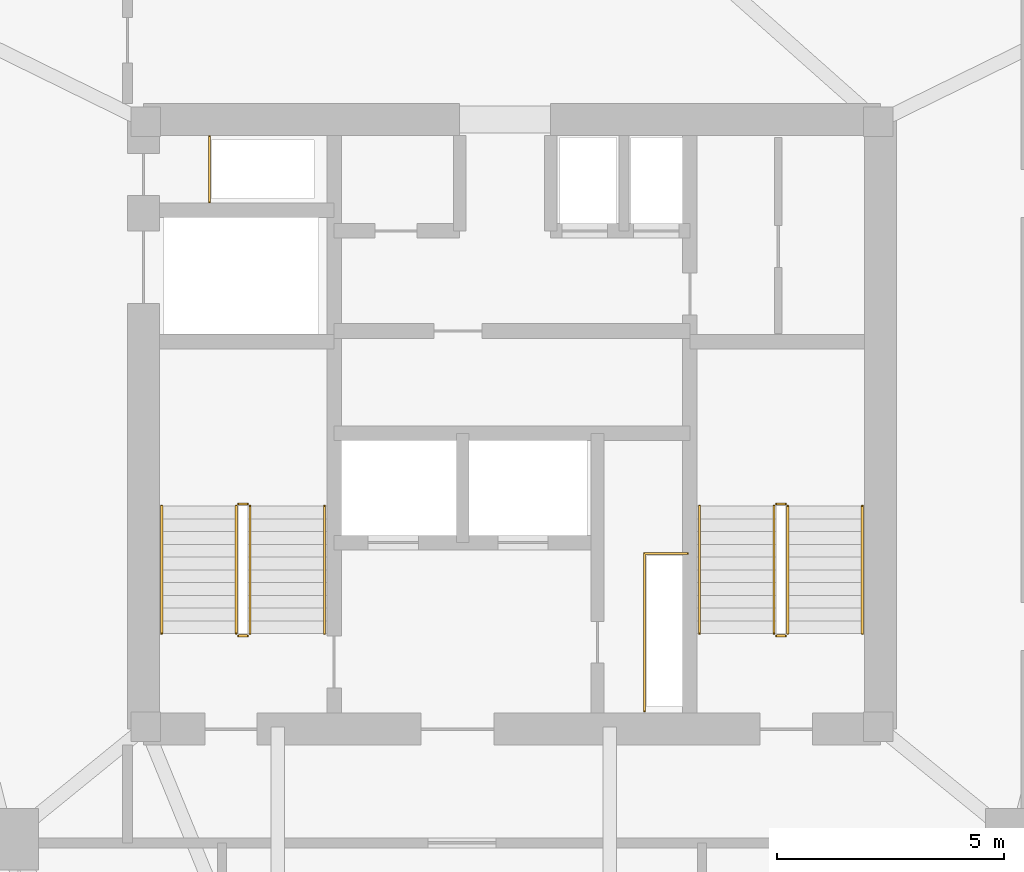
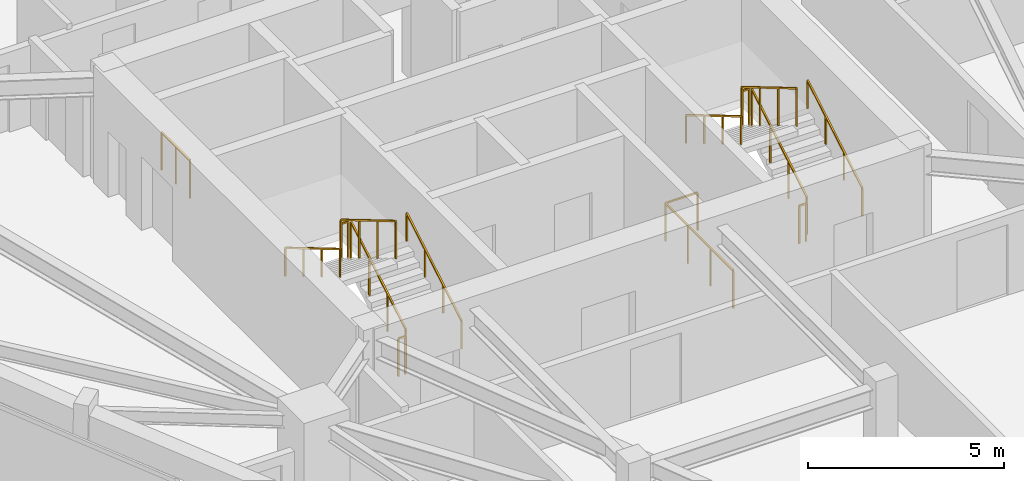
# One storey, part 12 of 12: 14 railings.
"""IFC4 building model written with IfcOpenShell, lengths in metres."""

from ifc_helpers import new_model, si_unit, direction, frame, origin, origin_2d, place, context, subcontext, project, spatial, rectangle, extrude, material, type_object, element, save


model = new_model("IFC4")

# Units and contexts
model_context = context("Model", 3, precision=1e-05, world=origin(), true_north=direction((0.0, 1.0)))
body_context = subcontext(model_context, "Body", "Model", "MODEL_VIEW")
ifc_project = project(units=[si_unit("LENGTHUNIT", "METRE"), si_unit("AREAUNIT", "SQUARE_METRE"), si_unit("VOLUMEUNIT", "CUBIC_METRE"), si_unit("PLANEANGLEUNIT", "RADIAN"), si_unit("MASSUNIT", "GRAM", prefix="KILO")], contexts=[model_context])

# Site, building, storey
site_placement = place(None, origin())
site = spatial("IfcSite", under=ifc_project, at=site_placement, CompositionType="ELEMENT")
building_placement = place(site_placement, origin())
building = spatial("IfcBuilding", under=site, at=building_placement, Name="Talyreon Biosciences Tower", CompositionType="ELEMENT")
storey_placement = place(building_placement, frame((0.0, 0.0, 219.550048828125)))
storey = spatial("IfcBuildingStorey", under=building, at=storey_placement, Name="L58", CompositionType="ELEMENT", Elevation=219.550048828125)

# Railings
ifc_material_1 = material(Name="Brushed stainless-steel tubular handrail", Category="steel")
railing_type_1 = type_object("IfcRailingType", Name="StairWallHandrail_900", PredefinedType="HANDRAIL", material=ifc_material_1)
railing_1_placement = place(storey_placement, frame((61.8798828125, 63.39990234375, 0.165771484375)))
element("IfcRailing", 1, at=railing_1_placement, inside=storey, type_object=railing_type_1, Name="L58 ST-1 stair handrail 1", PredefinedType="HANDRAIL", context=body_context, shape_type="SweptSolid", body=[
    extrude(rectangle(XDim=0.048095703125, YDim=0.048095703125, at=origin_2d()), frame((0.0, 0.0, 0.8759765625), z_axis=(0.0, 0.860306154799, 0.50977771628), x_axis=(-1.0, 0.0, 0.0)), (0.0, 0.0, 1.0), 3.254638671875),
    extrude(rectangle(XDim=0.0419921875, YDim=0.0419921875, at=origin_2d()), origin(), (0.0, 0.0, 1.0), 0.851806640625),
    extrude(rectangle(XDim=0.0419921875, YDim=0.0419921875, at=origin_2d()), frame((0.0, 0.933349609375, 0.552978515625)), (0.0, 0.0, 1.0), 0.851806640625),
    extrude(rectangle(XDim=0.0419921875, YDim=0.0419921875, at=origin_2d()), frame((0.0, 1.86669921875, 1.106201171875)), (0.0, 0.0, 1.0), 0.851806640625),
    extrude(rectangle(XDim=0.0419921875, YDim=0.0419921875, at=origin_2d()), frame((0.0, 2.800048828125, 1.6591796875)), (0.0, 0.0, 1.0), 0.851806640625),
])
railing_2_placement = place(storey_placement, frame((58.300048828125, 66.199951171875, 1.990966796875)))
element("IfcRailing", 2, at=railing_2_placement, inside=storey, type_object=railing_type_1, Name="L58 ST-1 stair handrail 2", PredefinedType="HANDRAIL", context=body_context, shape_type="SweptSolid", body=[
    extrude(rectangle(XDim=0.048095703125, YDim=0.048095703125, at=origin_2d()), frame((0.0, 0.0, 0.8759765625), z_axis=(0.0, -0.860339051648, 0.50972219513), x_axis=(1.0, 0.0, 0.0)), (0.0, 0.0, 1.0), 3.254638671875),
    extrude(rectangle(XDim=0.0419921875, YDim=0.0419921875, at=origin_2d()), origin(), (0.0, 0.0, 1.0), 0.851806640625),
    extrude(rectangle(XDim=0.0419921875, YDim=0.0419921875, at=origin_2d()), frame((0.0, -0.933349609375, 0.552978515625)), (0.0, 0.0, 1.0), 0.851806640625),
    extrude(rectangle(XDim=0.0419921875, YDim=0.0419921875, at=origin_2d()), frame((0.0, -1.86669921875, 1.10595703125)), (0.0, 0.0, 1.0), 0.851806640625),
    extrude(rectangle(XDim=0.0419921875, YDim=0.0419921875, at=origin_2d()), frame((0.0, -2.800048828125, 1.658935546875)), (0.0, 0.0, 1.0), 0.851806640625),
])
railing_3_placement = place(storey_placement, frame((73.699951171875, 63.39990234375, 0.165771484375)))
element("IfcRailing", 3, at=railing_3_placement, inside=storey, type_object=railing_type_1, Name="L58 ST-2 stair handrail 1", PredefinedType="HANDRAIL", context=body_context, shape_type="SweptSolid", body=[
    extrude(rectangle(XDim=0.048095703125, YDim=0.048095703125, at=origin_2d()), frame((0.0, 0.0, 0.8759765625), z_axis=(0.0, 0.860306154799, 0.50977771628), x_axis=(-1.0, 0.0, 0.0)), (0.0, 0.0, 1.0), 3.254638671875),
    extrude(rectangle(XDim=0.0419921875, YDim=0.0419921875, at=origin_2d()), origin(), (0.0, 0.0, 1.0), 0.851806640625),
    extrude(rectangle(XDim=0.0419921875, YDim=0.0419921875, at=origin_2d()), frame((0.0, 0.933349609375, 0.552978515625)), (0.0, 0.0, 1.0), 0.851806640625),
    extrude(rectangle(XDim=0.0419921875, YDim=0.0419921875, at=origin_2d()), frame((0.0, 1.86669921875, 1.106201171875)), (0.0, 0.0, 1.0), 0.851806640625),
    extrude(rectangle(XDim=0.0419921875, YDim=0.0419921875, at=origin_2d()), frame((0.0, 2.800048828125, 1.6591796875)), (0.0, 0.0, 1.0), 0.851806640625),
])
railing_4_placement = place(storey_placement, frame((70.1201171875, 66.199951171875, 1.990966796875)))
element("IfcRailing", 4, at=railing_4_placement, inside=storey, type_object=railing_type_1, Name="L58 ST-2 stair handrail 2", PredefinedType="HANDRAIL", context=body_context, shape_type="SweptSolid", body=[
    extrude(rectangle(XDim=0.048095703125, YDim=0.048095703125, at=origin_2d()), frame((0.0, 0.0, 0.8759765625), z_axis=(0.0, -0.860339051648, 0.50972219513), x_axis=(1.0, 0.0, 0.0)), (0.0, 0.0, 1.0), 3.254638671875),
    extrude(rectangle(XDim=0.0419921875, YDim=0.0419921875, at=origin_2d()), origin(), (0.0, 0.0, 1.0), 0.851806640625),
    extrude(rectangle(XDim=0.0419921875, YDim=0.0419921875, at=origin_2d()), frame((0.0, -0.933349609375, 0.552978515625)), (0.0, 0.0, 1.0), 0.851806640625),
    extrude(rectangle(XDim=0.0419921875, YDim=0.0419921875, at=origin_2d()), frame((0.0, -1.86669921875, 1.10595703125)), (0.0, 0.0, 1.0), 0.851806640625),
    extrude(rectangle(XDim=0.0419921875, YDim=0.0419921875, at=origin_2d()), frame((0.0, -2.800048828125, 1.658935546875)), (0.0, 0.0, 1.0), 0.851806640625),
])
ifc_material_2 = material(Name="Painted galvanised steel post-and-rail balustrade", Category="steel")
railing_type_2 = type_object("IfcRailingType", Name="TerraceStairGuard_1200", PredefinedType="GUARDRAIL", material=ifc_material_2)
railing_5_placement = place(storey_placement, frame((60.239990234375, 63.39990234375, 0.165771484375)))
element("IfcRailing", 5, at=railing_5_placement, inside=storey, type_object=railing_type_2, Name="L58 ST-1 stair guard 1", PredefinedType="GUARDRAIL", context=body_context, shape_type="SweptSolid", body=[
    extrude(rectangle(XDim=0.048095703125, YDim=0.048095703125, at=origin_2d()), frame((0.0, 0.0, 1.17578125), z_axis=(0.0, 0.860306154799, 0.50977771628), x_axis=(-1.0, 0.0, 0.0)), (0.0, 0.0, 1.0), 3.254638671875),
    extrude(rectangle(XDim=0.0419921875, YDim=0.0419921875, at=origin_2d()), origin(), (0.0, 0.0, 1.0), 1.15185546875),
    extrude(rectangle(XDim=0.0419921875, YDim=0.0419921875, at=origin_2d()), frame((0.0, 0.933349609375, 0.552978515625)), (0.0, 0.0, 1.0), 1.15185546875),
    extrude(rectangle(XDim=0.0419921875, YDim=0.0419921875, at=origin_2d()), frame((0.0, 1.86669921875, 1.106201171875)), (0.0, 0.0, 1.0), 1.15185546875),
    extrude(rectangle(XDim=0.0419921875, YDim=0.0419921875, at=origin_2d()), frame((0.0, 2.800048828125, 1.6591796875)), (0.0, 0.0, 1.0), 1.15185546875),
])
railing_6_placement = place(storey_placement, frame((60.18994140625, 66.25, 1.824951171875)))
element("IfcRailing", 6, at=railing_6_placement, inside=storey, type_object=railing_type_2, Name="L58 ST-1 stair guard 2", PredefinedType="GUARDRAIL", context=body_context, shape_type="SweptSolid", body=[
    extrude(rectangle(XDim=0.048095703125, YDim=0.048095703125, at=origin_2d()), frame((0.0, 0.0, 1.17578125), z_axis=(-1.0, 0.0, 0.0), x_axis=(0.0, -1.0, 0.0)), (0.0, 0.0, 1.0), 0.199951171875),
    extrude(rectangle(XDim=0.0419921875, YDim=0.0419921875, at=origin_2d()), origin(), (0.0, 0.0, 1.0), 1.15185546875),
    extrude(rectangle(XDim=0.0419921875, YDim=0.0419921875, at=origin_2d()), frame((-0.199951171875, 0.0, 0.0)), (0.0, 0.0, 1.0), 1.15185546875),
])
railing_7_placement = place(storey_placement, frame((59.93994140625, 66.199951171875, 1.990966796875)))
element("IfcRailing", 7, at=railing_7_placement, inside=storey, type_object=railing_type_2, Name="L58 ST-1 stair guard 3", PredefinedType="GUARDRAIL", context=body_context, shape_type="SweptSolid", body=[
    extrude(rectangle(XDim=0.048095703125, YDim=0.048095703125, at=origin_2d()), frame((0.0, 0.0, 1.17578125), z_axis=(0.0, -0.860339051648, 0.50972219513), x_axis=(1.0, 0.0, 0.0)), (0.0, 0.0, 1.0), 3.254638671875),
    extrude(rectangle(XDim=0.0419921875, YDim=0.0419921875, at=origin_2d()), origin(), (0.0, 0.0, 1.0), 1.15185546875),
    extrude(rectangle(XDim=0.0419921875, YDim=0.0419921875, at=origin_2d()), frame((0.0, -0.933349609375, 0.552978515625)), (0.0, 0.0, 1.0), 1.15185546875),
    extrude(rectangle(XDim=0.0419921875, YDim=0.0419921875, at=origin_2d()), frame((0.0, -1.86669921875, 1.10595703125)), (0.0, 0.0, 1.0), 1.15185546875),
    extrude(rectangle(XDim=0.0419921875, YDim=0.0419921875, at=origin_2d()), frame((0.0, -2.800048828125, 1.658935546875)), (0.0, 0.0, 1.0), 1.15185546875),
])
railing_8_placement = place(storey_placement, frame((60.18994140625, 63.35009765625, 0.0)))
element("IfcRailing", 8, at=railing_8_placement, inside=storey, type_object=railing_type_2, Name="L58 ST-1 stair guard 4", PredefinedType="GUARDRAIL", context=body_context, shape_type="SweptSolid", body=[
    extrude(rectangle(XDim=0.048095703125, YDim=0.048095703125, at=origin_2d()), frame((0.0, 0.0, 1.17578125), z_axis=(-1.0, 0.0, 0.0), x_axis=(0.0, -1.0, 0.0)), (0.0, 0.0, 1.0), 0.199951171875),
    extrude(rectangle(XDim=0.0419921875, YDim=0.0419921875, at=origin_2d()), origin(), (0.0, 0.0, 1.0), 1.15185546875),
    extrude(rectangle(XDim=0.0419921875, YDim=0.0419921875, at=origin_2d()), frame((-0.199951171875, 0.0, 0.0)), (0.0, 0.0, 1.0), 1.15185546875),
])
railing_9_placement = place(storey_placement, frame((72.06005859375, 63.39990234375, 0.165771484375)))
element("IfcRailing", 9, at=railing_9_placement, inside=storey, type_object=railing_type_2, Name="L58 ST-2 stair guard 1", PredefinedType="GUARDRAIL", context=body_context, shape_type="SweptSolid", body=[
    extrude(rectangle(XDim=0.048095703125, YDim=0.048095703125, at=origin_2d()), frame((0.0, 0.0, 1.17578125), z_axis=(0.0, 0.860306154799, 0.50977771628), x_axis=(-1.0, 0.0, 0.0)), (0.0, 0.0, 1.0), 3.254638671875),
    extrude(rectangle(XDim=0.0419921875, YDim=0.0419921875, at=origin_2d()), origin(), (0.0, 0.0, 1.0), 1.15185546875),
    extrude(rectangle(XDim=0.0419921875, YDim=0.0419921875, at=origin_2d()), frame((0.0, 0.933349609375, 0.552978515625)), (0.0, 0.0, 1.0), 1.15185546875),
    extrude(rectangle(XDim=0.0419921875, YDim=0.0419921875, at=origin_2d()), frame((0.0, 1.86669921875, 1.106201171875)), (0.0, 0.0, 1.0), 1.15185546875),
    extrude(rectangle(XDim=0.0419921875, YDim=0.0419921875, at=origin_2d()), frame((0.0, 2.800048828125, 1.6591796875)), (0.0, 0.0, 1.0), 1.15185546875),
])
railing_10_placement = place(storey_placement, frame((72.010009765625, 66.25, 1.824951171875)))
element("IfcRailing", 10, at=railing_10_placement, inside=storey, type_object=railing_type_2, Name="L58 ST-2 stair guard 2", PredefinedType="GUARDRAIL", context=body_context, shape_type="SweptSolid", body=[
    extrude(rectangle(XDim=0.048095703125, YDim=0.048095703125, at=origin_2d()), frame((0.0, 0.0, 1.17578125), z_axis=(-1.0, 0.0, 0.0), x_axis=(0.0, -1.0, 0.0)), (0.0, 0.0, 1.0), 0.199951171875),
    extrude(rectangle(XDim=0.0419921875, YDim=0.0419921875, at=origin_2d()), origin(), (0.0, 0.0, 1.0), 1.15185546875),
    extrude(rectangle(XDim=0.0419921875, YDim=0.0419921875, at=origin_2d()), frame((-0.199951171875, 0.0, 0.0)), (0.0, 0.0, 1.0), 1.15185546875),
])
railing_11_placement = place(storey_placement, frame((71.760009765625, 66.199951171875, 1.990966796875)))
element("IfcRailing", 11, at=railing_11_placement, inside=storey, type_object=railing_type_2, Name="L58 ST-2 stair guard 3", PredefinedType="GUARDRAIL", context=body_context, shape_type="SweptSolid", body=[
    extrude(rectangle(XDim=0.048095703125, YDim=0.048095703125, at=origin_2d()), frame((0.0, 0.0, 1.17578125), z_axis=(0.0, -0.860339051648, 0.50972219513), x_axis=(1.0, 0.0, 0.0)), (0.0, 0.0, 1.0), 3.254638671875),
    extrude(rectangle(XDim=0.0419921875, YDim=0.0419921875, at=origin_2d()), origin(), (0.0, 0.0, 1.0), 1.15185546875),
    extrude(rectangle(XDim=0.0419921875, YDim=0.0419921875, at=origin_2d()), frame((0.0, -0.933349609375, 0.552978515625)), (0.0, 0.0, 1.0), 1.15185546875),
    extrude(rectangle(XDim=0.0419921875, YDim=0.0419921875, at=origin_2d()), frame((0.0, -1.86669921875, 1.10595703125)), (0.0, 0.0, 1.0), 1.15185546875),
    extrude(rectangle(XDim=0.0419921875, YDim=0.0419921875, at=origin_2d()), frame((0.0, -2.800048828125, 1.658935546875)), (0.0, 0.0, 1.0), 1.15185546875),
])
railing_12_placement = place(storey_placement, frame((72.010009765625, 63.35009765625, 0.0)))
element("IfcRailing", 12, at=railing_12_placement, inside=storey, type_object=railing_type_2, Name="L58 ST-2 stair guard 4", PredefinedType="GUARDRAIL", context=body_context, shape_type="SweptSolid", body=[
    extrude(rectangle(XDim=0.048095703125, YDim=0.048095703125, at=origin_2d()), frame((0.0, 0.0, 1.17578125), z_axis=(-1.0, 0.0, 0.0), x_axis=(0.0, -1.0, 0.0)), (0.0, 0.0, 1.0), 0.199951171875),
    extrude(rectangle(XDim=0.0419921875, YDim=0.0419921875, at=origin_2d()), origin(), (0.0, 0.0, 1.0), 1.15185546875),
    extrude(rectangle(XDim=0.0419921875, YDim=0.0419921875, at=origin_2d()), frame((-0.199951171875, 0.0, 0.0)), (0.0, 0.0, 1.0), 1.15185546875),
])
railing_13_placement = place(storey_placement, frame((59.35009765625, 72.8798828125, 0.0)))
element("IfcRailing", 13, at=railing_13_placement, inside=storey, type_object=railing_type_2, Name="L58 Exhaust Riser Maintenance Guardrail", PredefinedType="GUARDRAIL", context=body_context, shape_type="SweptSolid", body=[
    extrude(rectangle(XDim=0.048095703125, YDim=0.048095703125, at=origin_2d()), frame((0.0, 0.0, 1.17578125), z_axis=(0.0, 1.0, 0.0), x_axis=(-1.0, 0.0, 0.0)), (0.0, 0.0, 1.0), 1.4501953125),
    extrude(rectangle(XDim=0.0419921875, YDim=0.0419921875, at=origin_2d()), origin(), (0.0, 0.0, 1.0), 1.15185546875),
    extrude(rectangle(XDim=0.0419921875, YDim=0.0419921875, at=origin_2d()), frame((0.0, 0.72509765625, 0.0)), (0.0, 0.0, 1.0), 1.15185546875),
    extrude(rectangle(XDim=0.0419921875, YDim=0.0419921875, at=origin_2d()), frame((0.0, 1.4501953125, 0.0)), (0.0, 0.0, 1.0), 1.15185546875),
])
railing_14_placement = place(storey_placement, frame((68.909912109375, 61.699951171875, 0.0)))
element("IfcRailing", 14, at=railing_14_placement, inside=storey, type_object=railing_type_2, Name="L58 Electrical Riser Maintenance Guardrail", PredefinedType="GUARDRAIL", context=body_context, shape_type="SweptSolid", body=[
    extrude(rectangle(XDim=0.048095703125, YDim=0.048095703125, at=origin_2d()), frame((0.0, 0.0, 1.17578125), z_axis=(0.0, 1.0, 0.0), x_axis=(-1.0, 0.0, 0.0)), (0.0, 0.0, 1.0), 3.4599609375),
    extrude(rectangle(XDim=0.048095703125, YDim=0.048095703125, at=origin_2d()), frame((0.0, 3.4599609375, 1.17578125), z_axis=(1.0, 0.0, 0.0), x_axis=(0.0, 1.0, 0.0)), (0.0, 0.0, 1.0), 0.9501953125),
    extrude(rectangle(XDim=0.0419921875, YDim=0.0419921875, at=origin_2d()), origin(), (0.0, 0.0, 1.0), 1.15185546875),
    extrude(rectangle(XDim=0.0419921875, YDim=0.0419921875, at=origin_2d()), frame((0.0, 1.1533203125, 0.0)), (0.0, 0.0, 1.0), 1.15185546875),
    extrude(rectangle(XDim=0.0419921875, YDim=0.0419921875, at=origin_2d()), frame((0.0, 2.306640625, 0.0)), (0.0, 0.0, 1.0), 1.15185546875),
    extrude(rectangle(XDim=0.0419921875, YDim=0.0419921875, at=origin_2d()), frame((0.0, 3.4599609375, 0.0)), (0.0, 0.0, 1.0), 1.15185546875),
    extrude(rectangle(XDim=0.0419921875, YDim=0.0419921875, at=origin_2d()), frame((0.9501953125, 3.4599609375, 0.0)), (0.0, 0.0, 1.0), 1.15185546875),
])

save(model, "model.ifc")
